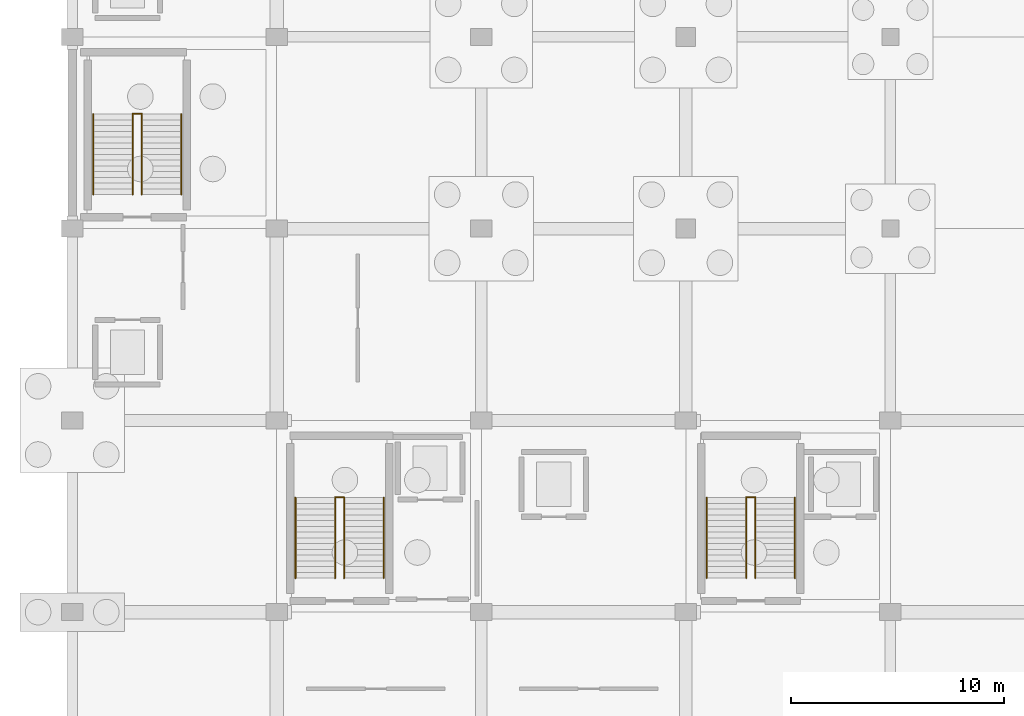
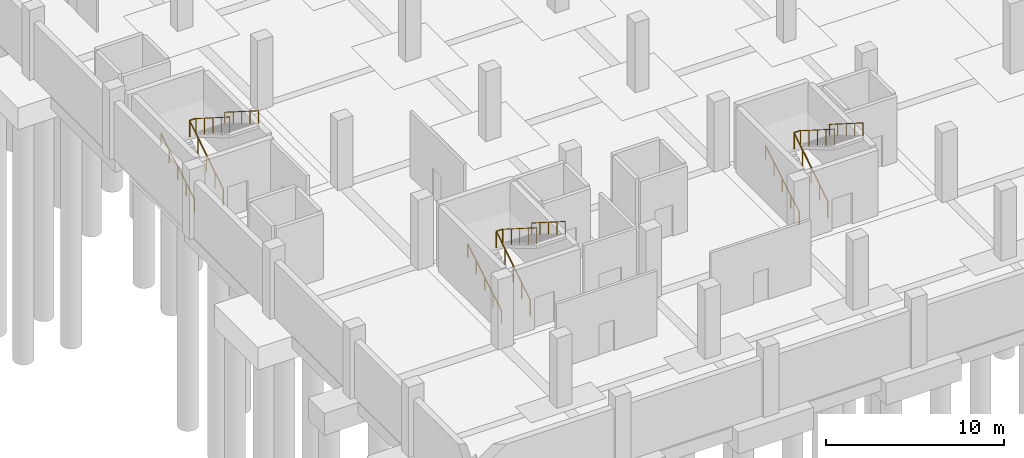
# One storey, part 33 of 39: 15 railings.
"""IFC4 building model written with IfcOpenShell, lengths in metres."""

from ifc_helpers import new_model, si_unit, direction, frame, origin, origin_2d, place, context, subcontext, project, spatial, circle, extrude, material, type_object, element, save


model = new_model("IFC4")

# Units and contexts
model_context = context("Model", 3, precision=1e-05, world=origin(), true_north=direction((0.0, 1.0)))
body_context = subcontext(model_context, "Body", "Model", "MODEL_VIEW")
ifc_project = project(units=[si_unit("LENGTHUNIT", "METRE"), si_unit("AREAUNIT", "SQUARE_METRE"), si_unit("VOLUMEUNIT", "CUBIC_METRE"), si_unit("PLANEANGLEUNIT", "RADIAN"), si_unit("MASSUNIT", "GRAM", prefix="KILO")], contexts=[model_context])

# Site, building, storey
site_placement = place(None, origin())
site = spatial("IfcSite", under=ifc_project, at=site_placement, CompositionType="ELEMENT")
building_placement = place(site_placement, origin())
building = spatial("IfcBuilding", under=site, at=building_placement, Name="Zarnetskaya Central Station", CompositionType="ELEMENT")
storey_placement = place(building_placement, frame((0.0, 0.0, -4.800048828125)))
storey = spatial("IfcBuildingStorey", under=building, at=storey_placement, Name="B1", CompositionType="ELEMENT", Elevation=-4.800048828125)

# Railings
ifc_material = material(Name="Steel S355", Category="steel")
railing_type_1 = type_object("IfcRailingType", Name="RAIL-HAND-900", PredefinedType="HANDRAIL", material=ifc_material)
railing_1_placement = place(storey_placement, frame((10.47998046875, 14.800048828125, 0.16015625)))
element("IfcRailing", 1, at=railing_1_placement, inside=storey, type_object=railing_type_1, Name="Stair ST-C1 B1 flight 1 handrail", PredefinedType="HANDRAIL", context=body_context, shape_type="SweptSolid", body=[
    extrude(circle(Radius=0.02392578125, at=origin_2d()), frame((0.0, 0.0, 0.8759765625), z_axis=(0.0, 0.860294241299, 0.509797821089), x_axis=(-1.0, 0.0, 0.0)), (0.0, 0.0, 1.0), 4.393798828125),
    extrude(circle(Radius=0.02099609375, at=origin_2d()), origin(), (0.0, 0.0, 1.0), 0.851806640625),
    extrude(circle(Radius=0.02099609375, at=origin_2d()), frame((0.0, 0.945068359375, 0.56005859375)), (0.0, 0.0, 1.0), 0.851806640625),
    extrude(circle(Radius=0.02099609375, at=origin_2d()), frame((0.0, 1.89013671875, 1.1201171875)), (0.0, 0.0, 1.0), 0.851806640625),
    extrude(circle(Radius=0.02099609375, at=origin_2d()), frame((0.0, 2.8349609375, 1.679931640625)), (0.0, 0.0, 1.0), 0.851806640625),
    extrude(circle(Radius=0.02099609375, at=origin_2d()), frame((0.0, 3.780029296875, 2.239990234375)), (0.0, 0.0, 1.0), 0.851806640625),
])
railing_2_placement = place(storey_placement, frame((14.6201171875, 18.580078125, 2.400146484375)))
element("IfcRailing", 2, at=railing_2_placement, inside=storey, type_object=railing_type_1, Name="Stair ST-C1 B1 flight 2 handrail", PredefinedType="HANDRAIL", context=body_context, shape_type="SweptSolid", body=[
    extrude(circle(Radius=0.02392578125, at=origin_2d()), frame((0.0, 0.0, 0.8759765625), z_axis=(0.0, -0.844224564207, 0.535989631606), x_axis=(1.0, 0.0, 0.0)), (0.0, 0.0, 1.0), 4.4775390625),
    extrude(circle(Radius=0.02099609375, at=origin_2d()), origin(), (0.0, 0.0, 1.0), 0.851806640625),
    extrude(circle(Radius=0.02099609375, at=origin_2d()), frame((0.0, -0.945068359375, 0.60009765625)), (0.0, 0.0, 1.0), 0.851806640625),
    extrude(circle(Radius=0.02099609375, at=origin_2d()), frame((0.0, -1.89013671875, 1.199951171875)), (0.0, 0.0, 1.0), 0.851806640625),
    extrude(circle(Radius=0.02099609375, at=origin_2d()), frame((0.0, -2.8349609375, 1.7998046875)), (0.0, 0.0, 1.0), 0.851806640625),
    extrude(circle(Radius=0.02099609375, at=origin_2d()), frame((0.0, -3.780029296875, 2.39990234375)), (0.0, 0.0, 1.0), 0.851806640625),
])
railing_3_placement = place(storey_placement, frame((0.97998046875, 32.800048828125, 0.16015625)))
element("IfcRailing", 3, at=railing_3_placement, inside=storey, type_object=railing_type_1, Name="Stair ST-C2 B1 flight 1 handrail", PredefinedType="HANDRAIL", context=body_context, shape_type="SweptSolid", body=[
    extrude(circle(Radius=0.02392578125, at=origin_2d()), frame((0.0, 0.0, 0.8759765625), z_axis=(0.0, 0.860294241299, 0.509797821089), x_axis=(-1.0, 0.0, 0.0)), (0.0, 0.0, 1.0), 4.393798828125),
    extrude(circle(Radius=0.02099609375, at=origin_2d()), origin(), (0.0, 0.0, 1.0), 0.851806640625),
    extrude(circle(Radius=0.02099609375, at=origin_2d()), frame((0.0, 0.945068359375, 0.56005859375)), (0.0, 0.0, 1.0), 0.851806640625),
    extrude(circle(Radius=0.02099609375, at=origin_2d()), frame((0.0, 1.89013671875, 1.1201171875)), (0.0, 0.0, 1.0), 0.851806640625),
    extrude(circle(Radius=0.02099609375, at=origin_2d()), frame((0.0, 2.8349609375, 1.679931640625)), (0.0, 0.0, 1.0), 0.851806640625),
    extrude(circle(Radius=0.02099609375, at=origin_2d()), frame((0.0, 3.780029296875, 2.239990234375)), (0.0, 0.0, 1.0), 0.851806640625),
])
railing_4_placement = place(storey_placement, frame((5.1201171875, 36.580078125, 2.400146484375)))
element("IfcRailing", 4, at=railing_4_placement, inside=storey, type_object=railing_type_1, Name="Stair ST-C2 B1 flight 2 handrail", PredefinedType="HANDRAIL", context=body_context, shape_type="SweptSolid", body=[
    extrude(circle(Radius=0.02392578125, at=origin_2d()), frame((0.0, 0.0, 0.8759765625), z_axis=(0.0, -0.844224564207, 0.535989631606), x_axis=(1.0, 0.0, 0.0)), (0.0, 0.0, 1.0), 4.4775390625),
    extrude(circle(Radius=0.02099609375, at=origin_2d()), origin(), (0.0, 0.0, 1.0), 0.851806640625),
    extrude(circle(Radius=0.02099609375, at=origin_2d()), frame((0.0, -0.945068359375, 0.60009765625)), (0.0, 0.0, 1.0), 0.851806640625),
    extrude(circle(Radius=0.02099609375, at=origin_2d()), frame((0.0, -1.89013671875, 1.199951171875)), (0.0, 0.0, 1.0), 0.851806640625),
    extrude(circle(Radius=0.02099609375, at=origin_2d()), frame((0.0, -2.8349609375, 1.7998046875)), (0.0, 0.0, 1.0), 0.851806640625),
    extrude(circle(Radius=0.02099609375, at=origin_2d()), frame((0.0, -3.780029296875, 2.39990234375)), (0.0, 0.0, 1.0), 0.851806640625),
])
railing_5_placement = place(storey_placement, frame((29.780029296875, 14.800048828125, 0.16015625)))
element("IfcRailing", 5, at=railing_5_placement, inside=storey, type_object=railing_type_1, Name="Stair ST-C3 B1 flight 1 handrail", PredefinedType="HANDRAIL", context=body_context, shape_type="SweptSolid", body=[
    extrude(circle(Radius=0.02392578125, at=origin_2d()), frame((0.0, 0.0, 0.8759765625), z_axis=(0.0, 0.860294241299, 0.509797821089), x_axis=(-1.0, 0.0, 0.0)), (0.0, 0.0, 1.0), 4.393798828125),
    extrude(circle(Radius=0.02099609375, at=origin_2d()), origin(), (0.0, 0.0, 1.0), 0.851806640625),
    extrude(circle(Radius=0.02099609375, at=origin_2d()), frame((0.0, 0.945068359375, 0.56005859375)), (0.0, 0.0, 1.0), 0.851806640625),
    extrude(circle(Radius=0.02099609375, at=origin_2d()), frame((0.0, 1.89013671875, 1.1201171875)), (0.0, 0.0, 1.0), 0.851806640625),
    extrude(circle(Radius=0.02099609375, at=origin_2d()), frame((0.0, 2.8349609375, 1.679931640625)), (0.0, 0.0, 1.0), 0.851806640625),
    extrude(circle(Radius=0.02099609375, at=origin_2d()), frame((0.0, 3.780029296875, 2.239990234375)), (0.0, 0.0, 1.0), 0.851806640625),
])
railing_6_placement = place(storey_placement, frame((33.919921875, 18.580078125, 2.400146484375)))
element("IfcRailing", 6, at=railing_6_placement, inside=storey, type_object=railing_type_1, Name="Stair ST-C3 B1 flight 2 handrail", PredefinedType="HANDRAIL", context=body_context, shape_type="SweptSolid", body=[
    extrude(circle(Radius=0.02392578125, at=origin_2d()), frame((0.0, 0.0, 0.8759765625), z_axis=(0.0, -0.844224564207, 0.535989631606), x_axis=(1.0, 0.0, 0.0)), (0.0, 0.0, 1.0), 4.4775390625),
    extrude(circle(Radius=0.02099609375, at=origin_2d()), origin(), (0.0, 0.0, 1.0), 0.851806640625),
    extrude(circle(Radius=0.02099609375, at=origin_2d()), frame((0.0, -0.945068359375, 0.60009765625)), (0.0, 0.0, 1.0), 0.851806640625),
    extrude(circle(Radius=0.02099609375, at=origin_2d()), frame((0.0, -1.89013671875, 1.199951171875)), (0.0, 0.0, 1.0), 0.851806640625),
    extrude(circle(Radius=0.02099609375, at=origin_2d()), frame((0.0, -2.8349609375, 1.7998046875)), (0.0, 0.0, 1.0), 0.851806640625),
    extrude(circle(Radius=0.02099609375, at=origin_2d()), frame((0.0, -3.780029296875, 2.39990234375)), (0.0, 0.0, 1.0), 0.851806640625),
])
railing_type_2 = type_object("IfcRailingType", Name="RAIL-STAIR-GRD", PredefinedType="BALUSTRADE", material=ifc_material)
railing_7_placement = place(storey_placement, frame((12.340087890625, 14.800048828125, 0.0)))
element("IfcRailing", 7, at=railing_7_placement, inside=storey, type_object=railing_type_2, Name="Stair ST-C1 B1 flight 1 well guard", PredefinedType="BALUSTRADE", context=body_context, shape_type="SweptSolid", body=[
    extrude(circle(Radius=0.02392578125, at=origin_2d()), frame((0.0, 0.0, 1.09619140625), z_axis=(0.0, 0.844199891302, 0.536028491338), x_axis=(-1.0, 0.0, 0.0)), (0.0, 0.0, 1.0), 4.4775390625),
    extrude(circle(Radius=0.02099609375, at=origin_2d()), origin(), (0.0, 0.0, 1.0), 1.072021484375),
    extrude(circle(Radius=0.02099609375, at=origin_2d()), frame((0.0, 0.945068359375, 0.60009765625)), (0.0, 0.0, 1.0), 1.072021484375),
    extrude(circle(Radius=0.02099609375, at=origin_2d()), frame((0.0, 1.89013671875, 1.2001953125)), (0.0, 0.0, 1.0), 1.072021484375),
    extrude(circle(Radius=0.02099609375, at=origin_2d()), frame((0.0, 2.8349609375, 1.800048828125)), (0.0, 0.0, 1.0), 1.072021484375),
    extrude(circle(Radius=0.02099609375, at=origin_2d()), frame((0.0, 3.780029296875, 2.400146484375)), (0.0, 0.0, 1.0), 1.072021484375),
])
railing_8_placement = place(storey_placement, frame((12.340087890625, 18.60009765625, 2.400146484375)))
element("IfcRailing", 8, at=railing_8_placement, inside=storey, type_object=railing_type_2, Name="Stair ST-C1 B1 half-landing well guard", PredefinedType="BALUSTRADE", context=body_context, shape_type="SweptSolid", body=[
    extrude(circle(Radius=0.02392578125, at=origin_2d()), frame((0.0, 0.0, 1.09619140625), z_axis=(1.0, 0.0, 0.0), x_axis=(0.0, 1.0, 0.0)), (0.0, 0.0, 1.0), 0.419921875),
    extrude(circle(Radius=0.02099609375, at=origin_2d()), origin(), (0.0, 0.0, 1.0), 1.072021484375),
    extrude(circle(Radius=0.02099609375, at=origin_2d()), frame((0.419921875, 0.0, 0.0)), (0.0, 0.0, 1.0), 1.072021484375),
])
railing_9_placement = place(storey_placement, frame((12.760009765625, 18.580078125, 2.400146484375)))
element("IfcRailing", 9, at=railing_9_placement, inside=storey, type_object=railing_type_2, Name="Stair ST-C1 B1 flight 2 well guard", PredefinedType="BALUSTRADE", context=body_context, shape_type="SweptSolid", body=[
    extrude(circle(Radius=0.02392578125, at=origin_2d()), frame((0.0, 0.0, 1.09619140625), z_axis=(0.0, -0.844224564207, 0.535989631606), x_axis=(1.0, 0.0, 0.0)), (0.0, 0.0, 1.0), 4.4775390625),
    extrude(circle(Radius=0.02099609375, at=origin_2d()), origin(), (0.0, 0.0, 1.0), 1.072021484375),
    extrude(circle(Radius=0.02099609375, at=origin_2d()), frame((0.0, -0.945068359375, 0.60009765625)), (0.0, 0.0, 1.0), 1.072021484375),
    extrude(circle(Radius=0.02099609375, at=origin_2d()), frame((0.0, -1.89013671875, 1.199951171875)), (0.0, 0.0, 1.0), 1.072021484375),
    extrude(circle(Radius=0.02099609375, at=origin_2d()), frame((0.0, -2.8349609375, 1.7998046875)), (0.0, 0.0, 1.0), 1.072021484375),
    extrude(circle(Radius=0.02099609375, at=origin_2d()), frame((0.0, -3.780029296875, 2.39990234375)), (0.0, 0.0, 1.0), 1.072021484375),
])
railing_10_placement = place(storey_placement, frame((2.840087890625, 32.800048828125, 0.0)))
element("IfcRailing", 10, at=railing_10_placement, inside=storey, type_object=railing_type_2, Name="Stair ST-C2 B1 flight 1 well guard", PredefinedType="BALUSTRADE", context=body_context, shape_type="SweptSolid", body=[
    extrude(circle(Radius=0.02392578125, at=origin_2d()), frame((0.0, 0.0, 1.09619140625), z_axis=(0.0, 0.844199891302, 0.536028491338), x_axis=(-1.0, 0.0, 0.0)), (0.0, 0.0, 1.0), 4.4775390625),
    extrude(circle(Radius=0.02099609375, at=origin_2d()), origin(), (0.0, 0.0, 1.0), 1.072021484375),
    extrude(circle(Radius=0.02099609375, at=origin_2d()), frame((0.0, 0.945068359375, 0.60009765625)), (0.0, 0.0, 1.0), 1.072021484375),
    extrude(circle(Radius=0.02099609375, at=origin_2d()), frame((0.0, 1.89013671875, 1.2001953125)), (0.0, 0.0, 1.0), 1.072021484375),
    extrude(circle(Radius=0.02099609375, at=origin_2d()), frame((0.0, 2.8349609375, 1.800048828125)), (0.0, 0.0, 1.0), 1.072021484375),
    extrude(circle(Radius=0.02099609375, at=origin_2d()), frame((0.0, 3.780029296875, 2.400146484375)), (0.0, 0.0, 1.0), 1.072021484375),
])
railing_11_placement = place(storey_placement, frame((2.840087890625, 36.60009765625, 2.400146484375)))
element("IfcRailing", 11, at=railing_11_placement, inside=storey, type_object=railing_type_2, Name="Stair ST-C2 B1 half-landing well guard", PredefinedType="BALUSTRADE", context=body_context, shape_type="SweptSolid", body=[
    extrude(circle(Radius=0.02392578125, at=origin_2d()), frame((0.0, 0.0, 1.09619140625), z_axis=(1.0, 0.0, 0.0), x_axis=(0.0, 1.0, 0.0)), (0.0, 0.0, 1.0), 0.419921875),
    extrude(circle(Radius=0.02099609375, at=origin_2d()), origin(), (0.0, 0.0, 1.0), 1.072021484375),
    extrude(circle(Radius=0.02099609375, at=origin_2d()), frame((0.419921875, 0.0, 0.0)), (0.0, 0.0, 1.0), 1.072021484375),
])
railing_12_placement = place(storey_placement, frame((3.260009765625, 36.580078125, 2.400146484375)))
element("IfcRailing", 12, at=railing_12_placement, inside=storey, type_object=railing_type_2, Name="Stair ST-C2 B1 flight 2 well guard", PredefinedType="BALUSTRADE", context=body_context, shape_type="SweptSolid", body=[
    extrude(circle(Radius=0.02392578125, at=origin_2d()), frame((0.0, 0.0, 1.09619140625), z_axis=(0.0, -0.844224564207, 0.535989631606), x_axis=(1.0, 0.0, 0.0)), (0.0, 0.0, 1.0), 4.4775390625),
    extrude(circle(Radius=0.02099609375, at=origin_2d()), origin(), (0.0, 0.0, 1.0), 1.072021484375),
    extrude(circle(Radius=0.02099609375, at=origin_2d()), frame((0.0, -0.945068359375, 0.60009765625)), (0.0, 0.0, 1.0), 1.072021484375),
    extrude(circle(Radius=0.02099609375, at=origin_2d()), frame((0.0, -1.89013671875, 1.199951171875)), (0.0, 0.0, 1.0), 1.072021484375),
    extrude(circle(Radius=0.02099609375, at=origin_2d()), frame((0.0, -2.8349609375, 1.7998046875)), (0.0, 0.0, 1.0), 1.072021484375),
    extrude(circle(Radius=0.02099609375, at=origin_2d()), frame((0.0, -3.780029296875, 2.39990234375)), (0.0, 0.0, 1.0), 1.072021484375),
])
railing_13_placement = place(storey_placement, frame((31.639892578125, 14.800048828125, 0.0)))
element("IfcRailing", 13, at=railing_13_placement, inside=storey, type_object=railing_type_2, Name="Stair ST-C3 B1 flight 1 well guard", PredefinedType="BALUSTRADE", context=body_context, shape_type="SweptSolid", body=[
    extrude(circle(Radius=0.02392578125, at=origin_2d()), frame((0.0, 0.0, 1.09619140625), z_axis=(0.0, 0.844199891302, 0.536028491338), x_axis=(-1.0, 0.0, 0.0)), (0.0, 0.0, 1.0), 4.4775390625),
    extrude(circle(Radius=0.02099609375, at=origin_2d()), origin(), (0.0, 0.0, 1.0), 1.072021484375),
    extrude(circle(Radius=0.02099609375, at=origin_2d()), frame((0.0, 0.945068359375, 0.60009765625)), (0.0, 0.0, 1.0), 1.072021484375),
    extrude(circle(Radius=0.02099609375, at=origin_2d()), frame((0.0, 1.89013671875, 1.2001953125)), (0.0, 0.0, 1.0), 1.072021484375),
    extrude(circle(Radius=0.02099609375, at=origin_2d()), frame((0.0, 2.8349609375, 1.800048828125)), (0.0, 0.0, 1.0), 1.072021484375),
    extrude(circle(Radius=0.02099609375, at=origin_2d()), frame((0.0, 3.780029296875, 2.400146484375)), (0.0, 0.0, 1.0), 1.072021484375),
])
railing_14_placement = place(storey_placement, frame((31.639892578125, 18.60009765625, 2.400146484375)))
element("IfcRailing", 14, at=railing_14_placement, inside=storey, type_object=railing_type_2, Name="Stair ST-C3 B1 half-landing well guard", PredefinedType="BALUSTRADE", context=body_context, shape_type="SweptSolid", body=[
    extrude(circle(Radius=0.02392578125, at=origin_2d()), frame((0.0, 0.0, 1.09619140625), z_axis=(1.0, 0.0, 0.0), x_axis=(0.0, 1.0, 0.0)), (0.0, 0.0, 1.0), 0.420166015625),
    extrude(circle(Radius=0.02099609375, at=origin_2d()), origin(), (0.0, 0.0, 1.0), 1.072021484375),
    extrude(circle(Radius=0.02099609375, at=origin_2d()), frame((0.420166015625, 0.0, 0.0)), (0.0, 0.0, 1.0), 1.072021484375),
])
railing_15_placement = place(storey_placement, frame((32.06005859375, 18.580078125, 2.400146484375)))
element("IfcRailing", 15, at=railing_15_placement, inside=storey, type_object=railing_type_2, Name="Stair ST-C3 B1 flight 2 well guard", PredefinedType="BALUSTRADE", context=body_context, shape_type="SweptSolid", body=[
    extrude(circle(Radius=0.02392578125, at=origin_2d()), frame((0.0, 0.0, 1.09619140625), z_axis=(0.0, -0.844224564207, 0.535989631606), x_axis=(1.0, 0.0, 0.0)), (0.0, 0.0, 1.0), 4.4775390625),
    extrude(circle(Radius=0.02099609375, at=origin_2d()), origin(), (0.0, 0.0, 1.0), 1.072021484375),
    extrude(circle(Radius=0.02099609375, at=origin_2d()), frame((0.0, -0.945068359375, 0.60009765625)), (0.0, 0.0, 1.0), 1.072021484375),
    extrude(circle(Radius=0.02099609375, at=origin_2d()), frame((0.0, -1.89013671875, 1.199951171875)), (0.0, 0.0, 1.0), 1.072021484375),
    extrude(circle(Radius=0.02099609375, at=origin_2d()), frame((0.0, -2.8349609375, 1.7998046875)), (0.0, 0.0, 1.0), 1.072021484375),
    extrude(circle(Radius=0.02099609375, at=origin_2d()), frame((0.0, -3.780029296875, 2.39990234375)), (0.0, 0.0, 1.0), 1.072021484375),
])

save(model, "model.ifc")
